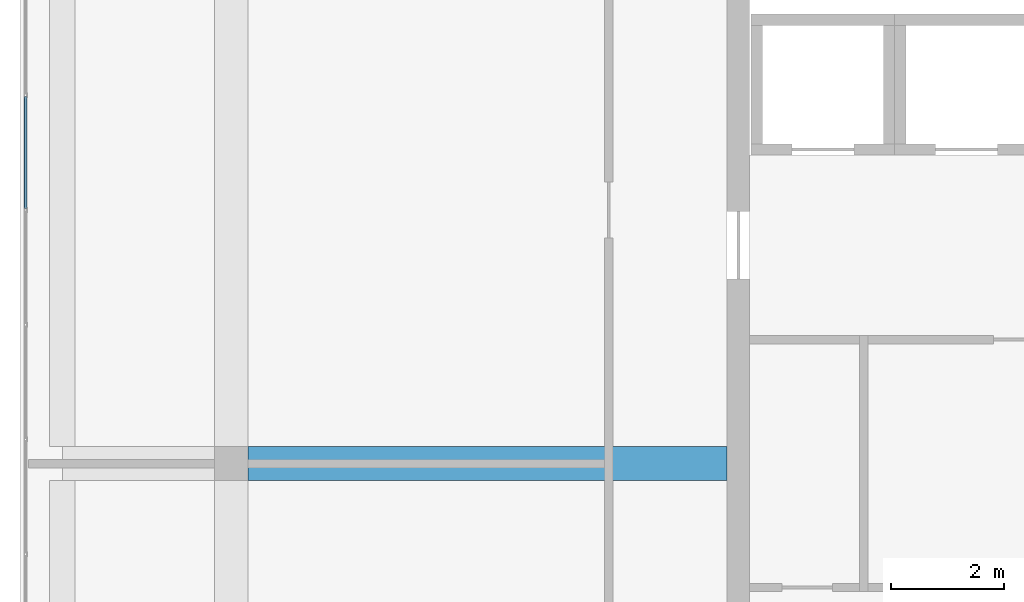
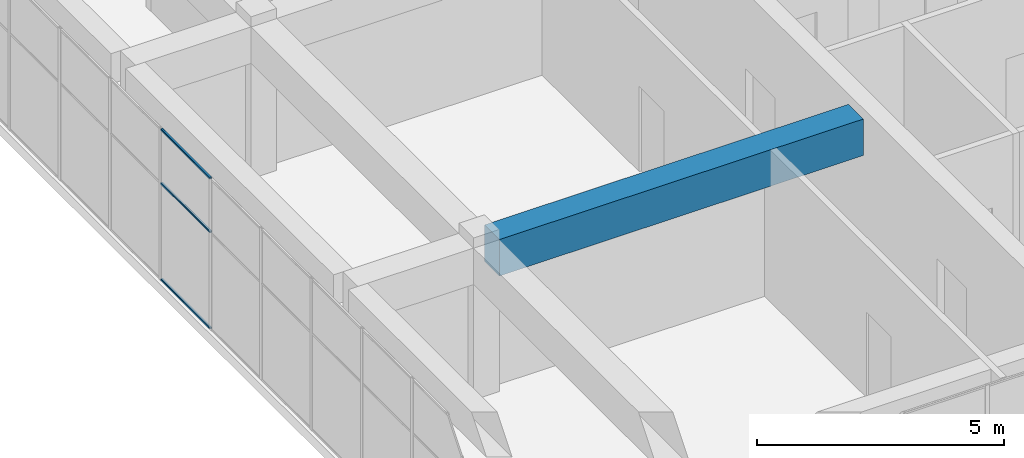
# One storey, part 12 of 35: 3 members, 1 beam, 1 element without a shape of its own.
"""IFC4 building model written with IfcOpenShell, lengths in metres."""

import ifcopenshell
import ifcopenshell.guid

model = None  # the IFC model being written
_history = None  # IfcOwnerHistory: only IFC2X3 demands one
_inside = {}  # id of a spatial element -> (the spatial element, [elements in it])
_under = {}  # id of a project, library or spatial element -> (it, [spatial elements below it])
_declared = {}  # id of a project -> (the project, [libraries it declares])
_typed = {}  # id of a type object -> (the type object, [elements of that type])
_made_of = {}  # id of a material, layer set ... -> (it, [elements and type objects made of it])


def new_model(schema):
    """Start an empty IFC model of exactly this schema.

    Asked for "IFC4X3", IfcOpenShell would pick the latest addendum, in which some entities
    have other attributes; the version numbers below select the first issue.
    IFC2X3 requires an IfcOwnerHistory on every rooted entity: one is made here for all.
    """
    global model, _history
    if schema == "IFC4X3":
        model = ifcopenshell.file(schema_version=(4, 3, 0, 0))
    else:
        model = ifcopenshell.file(schema=schema)
    _inside.clear()
    _under.clear()
    _declared.clear()
    _typed.clear()
    _made_of.clear()
    _history = None
    if model.schema == "IFC2X3":
        org = make("IfcOrganization", Name="unknown")
        user = make(
            "IfcPersonAndOrganization",
            ThePerson=make("IfcPerson", FamilyName="unknown"),
            TheOrganization=org,
        )
        app = make(
            "IfcApplication",
            ApplicationDeveloper=org,
            Version="unknown",
            ApplicationFullName="unknown",
            ApplicationIdentifier="unknown",
        )
        _history = make(
            "IfcOwnerHistory",
            OwningUser=user,
            OwningApplication=app,
            ChangeAction="ADDED",
            CreationDate=0,
        )
    return model


def make(cls, **values):
    """One entity of the class cls with the attributes given. An attribute that is None is left unset."""
    return model.create_entity(
        cls, **{name: value for name, value in values.items() if value is not None}
    )


def rooted(cls, **values):
    """An entity with a GlobalId (a new one), such as an element, a storey or a relation."""
    return make(cls, GlobalId=ifcopenshell.guid.new(), OwnerHistory=_history, **values)


def si_unit(unit_type, name, prefix=None):
    """IfcSIUnit, for example si_unit("LENGTHUNIT", "METRE", prefix="MILLI")."""
    return make("IfcSIUnit", UnitType=unit_type, Prefix=prefix, Name=name)


def assignment(units):
    """IfcUnitAssignment: the units of a project."""
    return None if units is None else make("IfcUnitAssignment", Units=units)


def point(xyz):
    """IfcCartesianPoint."""
    return None if xyz is None else make("IfcCartesianPoint", Coordinates=xyz)


def direction(xyz):
    """IfcDirection."""
    return None if xyz is None else make("IfcDirection", DirectionRatios=xyz)


def frame(location, z_axis=None, x_axis=None):
    """IfcAxis2Placement3D, a coordinate frame: its origin and axes. An axis left out is left unset."""
    return make(
        "IfcAxis2Placement3D",
        Location=point(location),
        Axis=direction(z_axis),
        RefDirection=direction(x_axis),
    )


def frame_2d(location, x_axis=None):
    """IfcAxis2Placement2D, a coordinate frame in the plane: its origin and x axis."""
    return make(
        "IfcAxis2Placement2D", Location=point(location), RefDirection=direction(x_axis)
    )


def origin():
    """The frame at (0, 0, 0) with its axes left unset."""
    return frame((0.0, 0.0, 0.0))


def origin_2d():
    """The frame at (0, 0) in the plane with its x axis left unset."""
    return frame_2d((0.0, 0.0))


def place(relative_to, where):
    """IfcLocalPlacement: puts the frame where relative to a parent placement (None: the world)."""
    return make(
        "IfcLocalPlacement", PlacementRelTo=relative_to, RelativePlacement=where
    )


def context(
    kind, dimensions, precision=None, world=None, true_north=None, identifier=None
):
    """IfcGeometricRepresentationContext, for example the 3D "Model" context."""
    return make(
        "IfcGeometricRepresentationContext",
        ContextIdentifier=identifier,
        ContextType=kind,
        CoordinateSpaceDimension=dimensions,
        Precision=precision,
        WorldCoordinateSystem=world,
        TrueNorth=true_north,
    )


def subcontext(parent, identifier, kind, view, scale=None):
    """IfcGeometricRepresentationSubContext, for example "Body" below "Model"."""
    return make(
        "IfcGeometricRepresentationSubContext",
        ContextIdentifier=identifier,
        ContextType=kind,
        ParentContext=parent,
        TargetScale=scale,
        TargetView=view,
    )


def project(units=None, contexts=None):
    """IfcProject with its units and contexts."""
    return rooted(
        "IfcProject",
        Name="project",
        RepresentationContexts=contexts,
        UnitsInContext=assignment(units),
    )


def spatial(cls, under=None, at=None, **own):
    """A site, building, storey or space (cls), placed at a placement, below another one or the project."""
    s = rooted(cls, ObjectPlacement=at, **own)
    if under is not None:
        _under.setdefault(under.id(), (under, []))[1].append(s)
    return s


def profile(cls, at=None, kind="AREA", **sizes):
    """A parametric profile (cls). Its sizes go by their IFC names, for example OverallWidth=200.0."""
    return make(cls, ProfileType=kind, Position=at, **sizes)


def rectangle(**sizes):
    """IfcRectangleProfileDef."""
    return profile("IfcRectangleProfileDef", **sizes)


def hollow_rectangle(**sizes):
    """IfcRectangleHollowProfileDef."""
    return profile("IfcRectangleHollowProfileDef", **sizes)


def extrude(swept, where, along, depth):
    """IfcExtrudedAreaSolid: the profile swept, set in the frame where, extruded along a direction by depth."""
    return make(
        "IfcExtrudedAreaSolid",
        SweptArea=swept,
        Position=where,
        ExtrudedDirection=direction(along),
        Depth=depth,
    )


def shape(context_of_items, identifier, shape_type, items):
    """IfcShapeRepresentation: the items that make up one representation, for example the "Body"."""
    return make(
        "IfcShapeRepresentation",
        ContextOfItems=context_of_items,
        RepresentationIdentifier=identifier,
        RepresentationType=shape_type,
        Items=items,
    )


def material(Name=None, Category=None):
    """IfcMaterial."""
    return make("IfcMaterial", Name=Name, Category=Category)


def layer(
    of_material, thickness, ventilated=None, Name=None, Category=None, Priority=None
):
    """IfcMaterialLayer: one layer of a wall or slab, of a material (None: an air gap)."""
    return make(
        "IfcMaterialLayer",
        Material=of_material,
        LayerThickness=thickness,
        IsVentilated=ventilated,
        Name=Name,
        Category=Category,
        Priority=Priority,
    )


def layer_set(layers, Name=None):
    """IfcMaterialLayerSet."""
    return make("IfcMaterialLayerSet", MaterialLayers=layers, LayerSetName=Name)


def material_profile(
    of_material, cross_section, Name=None, Category=None, Priority=None
):
    """IfcMaterialProfile: a cross section and its material."""
    return make(
        "IfcMaterialProfile",
        Name=Name,
        Material=of_material,
        Profile=cross_section,
        Priority=Priority,
        Category=Category,
    )


def profile_set(profiles, Name=None, composite=None):
    """IfcMaterialProfileSet."""
    return make(
        "IfcMaterialProfileSet",
        Name=Name,
        MaterialProfiles=profiles,
        CompositeProfile=composite,
    )


def made_of(thing, what):
    """Note that an element or type object is made of a material, layer set ...; save() writes the relation."""
    if what is not None:
        _made_of.setdefault(what.id(), (what, []))[1].append(thing)
    return thing


def type_object(cls, material=None, **own):
    """A type object (cls), such as IfcWallType, which elements share."""
    return made_of(rooted(cls, **own), material)


def element(
    cls,
    number,
    at=None,
    inside=None,
    cuts=None,
    type_object=None,
    material=None,
    context=None,
    identifier="Body",
    shape_type=None,
    held_by="IfcProductDefinitionShape",
    body=None,
    shapes=None,
    **own,
):
    """One element of the class cls, such as IfcWall. Its Tag is "e" and its number.

    at: its placement. inside: the storey or other place that contains it. cuts: it is an
    opening in that element (IfcRelVoidsElement). A single representation is given by context,
    identifier, shape_type and body (its items); several are given by shapes. held_by: the class
    of the entity that holds the representations. save() writes the other relations.
    """
    e = rooted(cls, Tag="e%d" % number, ObjectPlacement=at, **own)
    if body is not None:
        shapes = [shape(context, identifier, shape_type, body)]
    if shapes is not None:
        e.Representation = make(held_by, Representations=shapes)
    if inside is not None:
        _inside.setdefault(inside.id(), (inside, []))[1].append(e)
    if cuts is not None:
        rooted(
            "IfcRelVoidsElement", RelatingBuildingElement=cuts, RelatedOpeningElement=e
        )
    if type_object is not None:
        _typed.setdefault(type_object.id(), (type_object, []))[1].append(e)
    return made_of(e, material)


def aggregate(whole, parts):
    """IfcRelAggregates: a whole, such as a stair, and the parts it consists of."""
    return rooted("IfcRelAggregates", RelatingObject=whole, RelatedObjects=parts)


def save(model, path):
    """Write the relations noted so far, then the file.

    IfcRelAggregates (storeys below a building ...), IfcRelContainedInSpatialStructure (elements
    in a storey), IfcRelDefinesByType, IfcRelAssociatesMaterial and IfcRelDeclares: one each for
    every whole, place, type object, material and project.
    """
    for whole, parts in _under.values():
        aggregate(whole, parts)
    for where, things in _inside.values():
        rooted(
            "IfcRelContainedInSpatialStructure",
            RelatedElements=things,
            RelatingStructure=where,
        )
    for kind, things in _typed.values():
        rooted("IfcRelDefinesByType", RelatedObjects=things, RelatingType=kind)
    for what, things in _made_of.values():
        rooted("IfcRelAssociatesMaterial", RelatedObjects=things, RelatingMaterial=what)
    for by, libraries in _declared.values():
        rooted("IfcRelDeclares", RelatingContext=by, RelatedDefinitions=libraries)
    model.write(path)


model = new_model("IFC4")

# Units and contexts
model_context = context("Model", 3, precision=1e-05, world=origin(), true_north=direction((0.0, 1.0)))
body_context = subcontext(model_context, "Body", "Model", "MODEL_VIEW")
ifc_project = project(units=[si_unit("LENGTHUNIT", "METRE"), si_unit("AREAUNIT", "SQUARE_METRE"), si_unit("VOLUMEUNIT", "CUBIC_METRE"), si_unit("PLANEANGLEUNIT", "RADIAN"), si_unit("MASSUNIT", "GRAM", prefix="KILO")], contexts=[model_context])

# Site, building, storey
site_placement = place(None, origin())
site = spatial("IfcSite", under=ifc_project, at=site_placement, CompositionType="ELEMENT")
building_placement = place(site_placement, origin())
building = spatial("IfcBuilding", under=site, at=building_placement, Name="Tuart Plaza Theatre", CompositionType="ELEMENT")
storey_placement = place(building_placement, frame((0.0, 0.0, 45.5)))
storey = spatial("IfcBuildingStorey", under=building, at=storey_placement, Name="L11", CompositionType="ELEMENT", Elevation=45.5)

# Beam
ifc_material_1 = material(Name="Concrete N40 (40 MPa)", Category="concrete")
ifc_material_profile_1 = material_profile(ifc_material_1, rectangle(XDim=0.60009765625, YDim=0.89990234375, at=origin_2d()), Name="BEAM 600x900 Concrete N40 (40 MPa)")
ifc_profile_set_1 = profile_set([ifc_material_profile_1], Name="Concrete N40 (40 MPa)")
beam_type = type_object("IfcBeamType", Name="BEAM 600x900 Concrete N40 (40 MPa)", PredefinedType="BEAM", material=ifc_profile_set_1)
beam_placement = place(storey_placement, frame((114.300048828125, 74.0, 3.300048828125), z_axis=(1.0, 0.0, 0.0), x_axis=(0.0, 1.0, 0.0)))
element("IfcBeam", 1, at=beam_placement, inside=storey, type_object=beam_type, Name="RB292", PredefinedType="BEAM", context=body_context, shape_type="SweptSolid", body=[
    extrude(rectangle(XDim=0.60009765625, YDim=0.89990234375, at=origin_2d()), origin(), (0.0, 0.0, 1.0), 8.5),
])

# Curtain wall, members
ifc_material_2 = material(Name="Aluminium and glass", Category="aluminium")
ifc_layer = layer(ifc_material_2, 0.10009765625)
ifc_layer_set = layer_set([ifc_layer], Name="CURTAIN WALL 2000 module")
curtain_wall_type = type_object("IfcCurtainWallType", Name="CURTAIN WALL 2000 module", PredefinedType="NOTDEFINED", material=ifc_layer_set)
curtain_wall_placement = place(storey_placement, origin())
curtain_wall = element("IfcCurtainWall", 2, at=curtain_wall_placement, inside=storey, type_object=curtain_wall_type, Name="CW106", PredefinedType="NOTDEFINED")
ifc_material_3 = material(Name="Aluminium 6063-T5", Category="aluminium")
ifc_material_profile_2 = material_profile(ifc_material_3, hollow_rectangle(XDim=0.050048828125, YDim=0.050048828125, WallThickness=0.00390625, InnerFilletRadius=0.00390625, OuterFilletRadius=0.008056640625, at=origin_2d()), Name="RHS 50x50x4")
ifc_profile_set_2 = profile_set([ifc_material_profile_2], Name="Aluminium 6063-T5")
member_type = type_object("IfcMemberType", Name="TRANSOM RHS 50x50x4", PredefinedType="USERDEFINED", material=ifc_profile_set_2)
member_1_placement = place(storey_placement, frame((110.35009765625, 80.5107421875, 0.02490234375), z_axis=(0.0, -1.0, 0.0), x_axis=(1.0, 0.0, 0.0)))
member_1 = element("IfcMember", 3, at=member_1_placement, type_object=member_type, Name="CW106 transom 7.1", ObjectType="TRANSOM", PredefinedType="USERDEFINED", context=body_context, shape_type="SweptSolid", body=[
    extrude(hollow_rectangle(XDim=0.050048828125, YDim=0.050048828125, WallThickness=0.00390625, InnerFilletRadius=0.00390625, OuterFilletRadius=0.008056640625, at=origin_2d()), origin(), (0.0, 0.0, 1.0), 1.98583984375),
])
member_2_placement = place(storey_placement, frame((110.35009765625, 80.5107421875, 2.39990234375), z_axis=(0.0, -1.0, 0.0), x_axis=(1.0, 0.0, 0.0)))
member_2 = element("IfcMember", 4, at=member_2_placement, type_object=member_type, Name="CW106 transom 7.2", ObjectType="TRANSOM", PredefinedType="USERDEFINED", context=body_context, shape_type="SweptSolid", body=[
    extrude(hollow_rectangle(XDim=0.050048828125, YDim=0.050048828125, WallThickness=0.00390625, InnerFilletRadius=0.00390625, OuterFilletRadius=0.008056640625, at=origin_2d()), origin(), (0.0, 0.0, 1.0), 1.98583984375),
])
member_3_placement = place(storey_placement, frame((110.35009765625, 80.5107421875, 3.72509765625), z_axis=(0.0, -1.0, 0.0), x_axis=(1.0, 0.0, 0.0)))
member_3 = element("IfcMember", 5, at=member_3_placement, type_object=member_type, Name="CW106 transom 7.3", ObjectType="TRANSOM", PredefinedType="USERDEFINED", context=body_context, shape_type="SweptSolid", body=[
    extrude(hollow_rectangle(XDim=0.050048828125, YDim=0.050048828125, WallThickness=0.00390625, InnerFilletRadius=0.00390625, OuterFilletRadius=0.008056640625, at=origin_2d()), origin(), (0.0, 0.0, 1.0), 1.98583984375),
])
aggregate(curtain_wall, [member_1, member_2, member_3])

save(model, "model.ifc")
